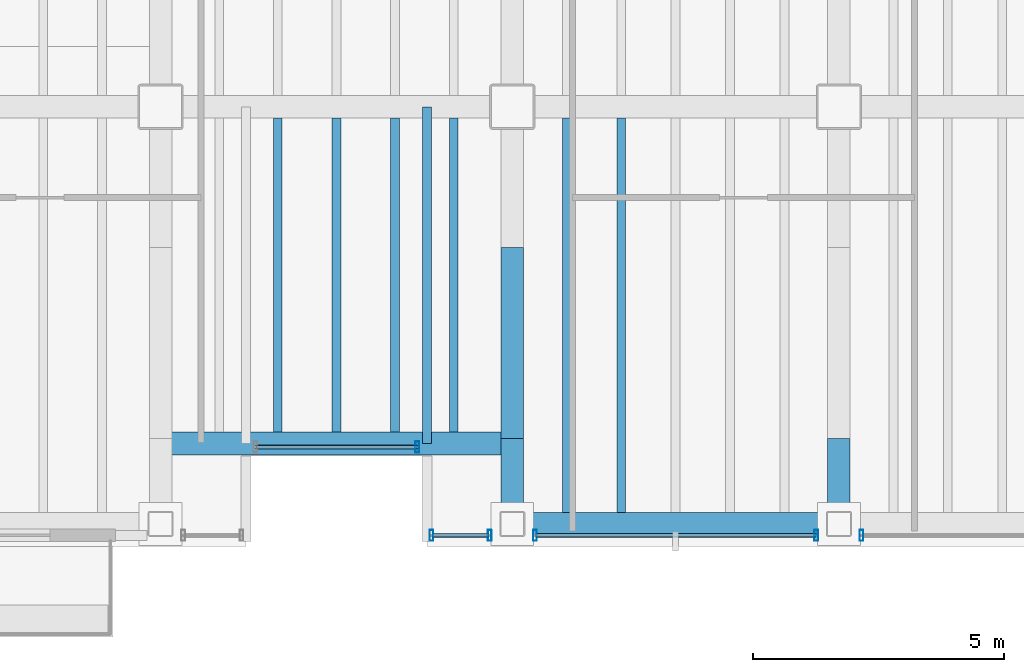
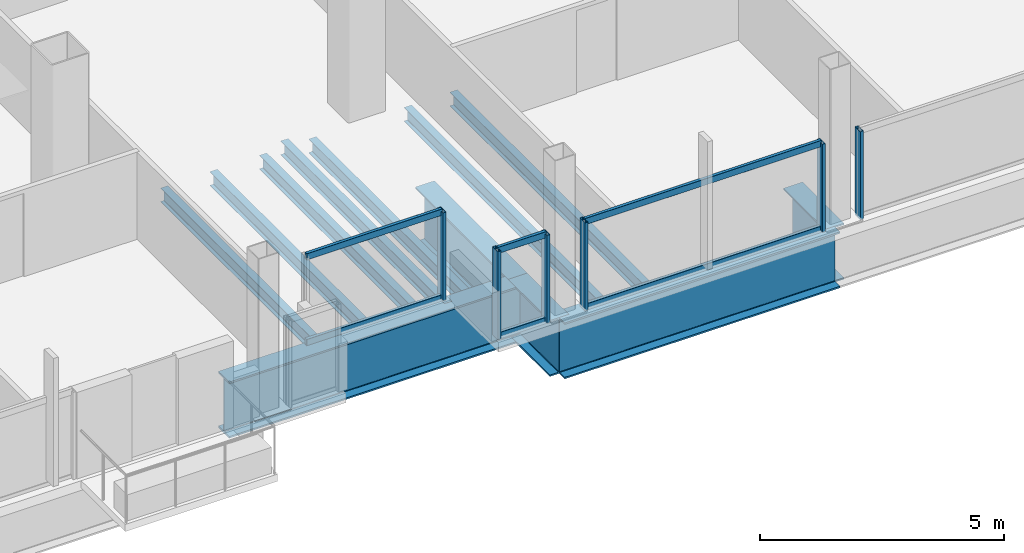
# One storey, part 4 of 17: 12 beams, 12 members, 4 elements without a shape of their own.
"""IFC4 building model written with IfcOpenShell, lengths in metres."""

import ifcopenshell
import ifcopenshell.guid

model = None  # the IFC model being written
_history = None  # IfcOwnerHistory: only IFC2X3 demands one
_inside = {}  # id of a spatial element -> (the spatial element, [elements in it])
_under = {}  # id of a project, library or spatial element -> (it, [spatial elements below it])
_declared = {}  # id of a project -> (the project, [libraries it declares])
_typed = {}  # id of a type object -> (the type object, [elements of that type])
_made_of = {}  # id of a material, layer set ... -> (it, [elements and type objects made of it])


def new_model(schema):
    """Start an empty IFC model of exactly this schema.

    Asked for "IFC4X3", IfcOpenShell would pick the latest addendum, in which some entities
    have other attributes; the version numbers below select the first issue.
    IFC2X3 requires an IfcOwnerHistory on every rooted entity: one is made here for all.
    """
    global model, _history
    if schema == "IFC4X3":
        model = ifcopenshell.file(schema_version=(4, 3, 0, 0))
    else:
        model = ifcopenshell.file(schema=schema)
    _inside.clear()
    _under.clear()
    _declared.clear()
    _typed.clear()
    _made_of.clear()
    _history = None
    if model.schema == "IFC2X3":
        org = make("IfcOrganization", Name="unknown")
        user = make(
            "IfcPersonAndOrganization",
            ThePerson=make("IfcPerson", FamilyName="unknown"),
            TheOrganization=org,
        )
        app = make(
            "IfcApplication",
            ApplicationDeveloper=org,
            Version="unknown",
            ApplicationFullName="unknown",
            ApplicationIdentifier="unknown",
        )
        _history = make(
            "IfcOwnerHistory",
            OwningUser=user,
            OwningApplication=app,
            ChangeAction="ADDED",
            CreationDate=0,
        )
    return model


def make(cls, **values):
    """One entity of the class cls with the attributes given. An attribute that is None is left unset."""
    return model.create_entity(
        cls, **{name: value for name, value in values.items() if value is not None}
    )


def rooted(cls, **values):
    """An entity with a GlobalId (a new one), such as an element, a storey or a relation."""
    return make(cls, GlobalId=ifcopenshell.guid.new(), OwnerHistory=_history, **values)


def si_unit(unit_type, name, prefix=None):
    """IfcSIUnit, for example si_unit("LENGTHUNIT", "METRE", prefix="MILLI")."""
    return make("IfcSIUnit", UnitType=unit_type, Prefix=prefix, Name=name)


def assignment(units):
    """IfcUnitAssignment: the units of a project."""
    return None if units is None else make("IfcUnitAssignment", Units=units)


def point(xyz):
    """IfcCartesianPoint."""
    return None if xyz is None else make("IfcCartesianPoint", Coordinates=xyz)


def direction(xyz):
    """IfcDirection."""
    return None if xyz is None else make("IfcDirection", DirectionRatios=xyz)


def frame(location, z_axis=None, x_axis=None):
    """IfcAxis2Placement3D, a coordinate frame: its origin and axes. An axis left out is left unset."""
    return make(
        "IfcAxis2Placement3D",
        Location=point(location),
        Axis=direction(z_axis),
        RefDirection=direction(x_axis),
    )


def frame_2d(location, x_axis=None):
    """IfcAxis2Placement2D, a coordinate frame in the plane: its origin and x axis."""
    return make(
        "IfcAxis2Placement2D", Location=point(location), RefDirection=direction(x_axis)
    )


def origin():
    """The frame at (0, 0, 0) with its axes left unset."""
    return frame((0.0, 0.0, 0.0))


def origin_2d():
    """The frame at (0, 0) in the plane with its x axis left unset."""
    return frame_2d((0.0, 0.0))


def place(relative_to, where):
    """IfcLocalPlacement: puts the frame where relative to a parent placement (None: the world)."""
    return make(
        "IfcLocalPlacement", PlacementRelTo=relative_to, RelativePlacement=where
    )


def context(
    kind, dimensions, precision=None, world=None, true_north=None, identifier=None
):
    """IfcGeometricRepresentationContext, for example the 3D "Model" context."""
    return make(
        "IfcGeometricRepresentationContext",
        ContextIdentifier=identifier,
        ContextType=kind,
        CoordinateSpaceDimension=dimensions,
        Precision=precision,
        WorldCoordinateSystem=world,
        TrueNorth=true_north,
    )


def subcontext(parent, identifier, kind, view, scale=None):
    """IfcGeometricRepresentationSubContext, for example "Body" below "Model"."""
    return make(
        "IfcGeometricRepresentationSubContext",
        ContextIdentifier=identifier,
        ContextType=kind,
        ParentContext=parent,
        TargetScale=scale,
        TargetView=view,
    )


def project(units=None, contexts=None):
    """IfcProject with its units and contexts."""
    return rooted(
        "IfcProject",
        Name="project",
        RepresentationContexts=contexts,
        UnitsInContext=assignment(units),
    )


def spatial(cls, under=None, at=None, **own):
    """A site, building, storey or space (cls), placed at a placement, below another one or the project."""
    s = rooted(cls, ObjectPlacement=at, **own)
    if under is not None:
        _under.setdefault(under.id(), (under, []))[1].append(s)
    return s


def profile(cls, at=None, kind="AREA", **sizes):
    """A parametric profile (cls). Its sizes go by their IFC names, for example OverallWidth=200.0."""
    return make(cls, ProfileType=kind, Position=at, **sizes)


def hollow_rectangle(**sizes):
    """IfcRectangleHollowProfileDef."""
    return profile("IfcRectangleHollowProfileDef", **sizes)


def i_section(**sizes):
    """IfcIShapeProfileDef."""
    return profile("IfcIShapeProfileDef", **sizes)


def extrude(swept, where, along, depth):
    """IfcExtrudedAreaSolid: the profile swept, set in the frame where, extruded along a direction by depth."""
    return make(
        "IfcExtrudedAreaSolid",
        SweptArea=swept,
        Position=where,
        ExtrudedDirection=direction(along),
        Depth=depth,
    )


def shape(context_of_items, identifier, shape_type, items):
    """IfcShapeRepresentation: the items that make up one representation, for example the "Body"."""
    return make(
        "IfcShapeRepresentation",
        ContextOfItems=context_of_items,
        RepresentationIdentifier=identifier,
        RepresentationType=shape_type,
        Items=items,
    )


def material(Name=None, Category=None):
    """IfcMaterial."""
    return make("IfcMaterial", Name=Name, Category=Category)


def material_profile(
    of_material, cross_section, Name=None, Category=None, Priority=None
):
    """IfcMaterialProfile: a cross section and its material."""
    return make(
        "IfcMaterialProfile",
        Name=Name,
        Material=of_material,
        Profile=cross_section,
        Priority=Priority,
        Category=Category,
    )


def profile_set(profiles, Name=None, composite=None):
    """IfcMaterialProfileSet."""
    return make(
        "IfcMaterialProfileSet",
        Name=Name,
        MaterialProfiles=profiles,
        CompositeProfile=composite,
    )


def made_of(thing, what):
    """Note that an element or type object is made of a material, layer set ...; save() writes the relation."""
    if what is not None:
        _made_of.setdefault(what.id(), (what, []))[1].append(thing)
    return thing


def type_object(cls, material=None, **own):
    """A type object (cls), such as IfcWallType, which elements share."""
    return made_of(rooted(cls, **own), material)


def element(
    cls,
    number,
    at=None,
    inside=None,
    cuts=None,
    type_object=None,
    material=None,
    context=None,
    identifier="Body",
    shape_type=None,
    held_by="IfcProductDefinitionShape",
    body=None,
    shapes=None,
    **own,
):
    """One element of the class cls, such as IfcWall. Its Tag is "e" and its number.

    at: its placement. inside: the storey or other place that contains it. cuts: it is an
    opening in that element (IfcRelVoidsElement). A single representation is given by context,
    identifier, shape_type and body (its items); several are given by shapes. held_by: the class
    of the entity that holds the representations. save() writes the other relations.
    """
    e = rooted(cls, Tag="e%d" % number, ObjectPlacement=at, **own)
    if body is not None:
        shapes = [shape(context, identifier, shape_type, body)]
    if shapes is not None:
        e.Representation = make(held_by, Representations=shapes)
    if inside is not None:
        _inside.setdefault(inside.id(), (inside, []))[1].append(e)
    if cuts is not None:
        rooted(
            "IfcRelVoidsElement", RelatingBuildingElement=cuts, RelatedOpeningElement=e
        )
    if type_object is not None:
        _typed.setdefault(type_object.id(), (type_object, []))[1].append(e)
    return made_of(e, material)


def aggregate(whole, parts):
    """IfcRelAggregates: a whole, such as a stair, and the parts it consists of."""
    return rooted("IfcRelAggregates", RelatingObject=whole, RelatedObjects=parts)


def save(model, path):
    """Write the relations noted so far, then the file.

    IfcRelAggregates (storeys below a building ...), IfcRelContainedInSpatialStructure (elements
    in a storey), IfcRelDefinesByType, IfcRelAssociatesMaterial and IfcRelDeclares: one each for
    every whole, place, type object, material and project.
    """
    for whole, parts in _under.values():
        aggregate(whole, parts)
    for where, things in _inside.values():
        rooted(
            "IfcRelContainedInSpatialStructure",
            RelatedElements=things,
            RelatingStructure=where,
        )
    for kind, things in _typed.values():
        rooted("IfcRelDefinesByType", RelatedObjects=things, RelatingType=kind)
    for what, things in _made_of.values():
        rooted("IfcRelAssociatesMaterial", RelatedObjects=things, RelatingMaterial=what)
    for by, libraries in _declared.values():
        rooted("IfcRelDeclares", RelatingContext=by, RelatedDefinitions=libraries)
    model.write(path)


model = new_model("IFC4")

# Units and contexts
model_context = context("Model", 3, precision=1e-05, world=origin(), true_north=direction((0.0, 1.0)))
body_context = subcontext(model_context, "Body", "Model", "MODEL_VIEW")
ifc_project = project(units=[si_unit("LENGTHUNIT", "METRE"), si_unit("AREAUNIT", "SQUARE_METRE"), si_unit("VOLUMEUNIT", "CUBIC_METRE"), si_unit("PLANEANGLEUNIT", "RADIAN"), si_unit("MASSUNIT", "GRAM", prefix="KILO")], contexts=[model_context])

# Site, building, storey
site_placement = place(None, origin())
site = spatial("IfcSite", under=ifc_project, at=site_placement, CompositionType="ELEMENT")
building_placement = place(site_placement, origin())
building = spatial("IfcBuilding", under=site, at=building_placement, Name="Noeulbin Bourse Tower", CompositionType="ELEMENT")
storey_placement = place(building_placement, frame((0.0, 0.0, 196.800048828125)))
storey = spatial("IfcBuildingStorey", under=building, at=storey_placement, Name="L49", CompositionType="ELEMENT", Elevation=196.800048828125)

# Beams
ifc_material_1 = material(Name="Steel S355", Category="steel")
ifc_material_profile_1 = material_profile(ifc_material_1, i_section(OverallWidth=0.175048828125, OverallDepth=0.35009765625, WebThickness=0.007080078125, FlangeThickness=0.010986328125, FilletRadius=0.013916015625, at=origin_2d()), Name="H-350x175x7x11", Category="LoadBearing")
ifc_profile_set_1 = profile_set([ifc_material_profile_1], Name="Steel S355")
beam_type_1 = type_object("IfcBeamType", Name="BM-JST-350", PredefinedType="JOIST", material=ifc_profile_set_1)
beam_1_placement = place(storey_placement, frame((29.300048828125, 13.300048828125, -0.4150390625), z_axis=(0.0, 1.0, 0.0), x_axis=(-1.0, 0.0, 0.0)))
element("IfcBeam", 1, at=beam_1_placement, inside=storey, type_object=beam_type_1, Name="BM-L49-SRT-E", PredefinedType="JOIST", context=body_context, shape_type="SweptSolid", body=[
    extrude(i_section(OverallWidth=0.175048828125, OverallDepth=0.35009765625, WebThickness=0.007080078125, FlangeThickness=0.010986328125, FilletRadius=0.013916015625, at=origin_2d()), origin(), (0.0, 0.0, 1.0), 6.699951171875),
])
for number, where, z_axis, x_axis, name in (
    (2, (26.333251953125, 13.52490234375, -0.4150390625), (0.0, 1.0, 0.0), (-1.0, 0.0, 0.0), "Tower Composite Joist L49-19"),
    (3, (27.5, 13.52490234375, -0.4150390625), (0.0, 1.0, 0.0), (-1.0, 0.0, 0.0), "Tower Composite Joist L49-21"),
    (4, (28.666748046875, 13.52490234375, -0.4150390625), (0.0, 1.0, 0.0), (-1.0, 0.0, 0.0), "Tower Composite Joist L49-23"),
    (5, (29.833251953125, 13.52490234375, -0.4150390625), (0.0, 1.0, 0.0), (-1.0, 0.0, 0.0), "Tower Composite Joist L49-25"),
):
    element("IfcBeam", number, at=place(storey_placement, frame(where, z_axis=z_axis, x_axis=x_axis)), inside=storey, type_object=beam_type_1, Name=name, PredefinedType="JOIST", context=body_context, shape_type="SweptSolid", body=[
        extrude(i_section(OverallWidth=0.175048828125, OverallDepth=0.35009765625, WebThickness=0.007080078125, FlangeThickness=0.010986328125, FilletRadius=0.013916015625, at=origin_2d()), origin(), (0.0, 0.0, 1.0), 6.25),
    ])
for number, where, z_axis, x_axis, name in (
    (6, (32.083251953125, 11.925048828125, -0.4150390625), (0.0, 1.0, 0.0), (-1.0, 0.0, 0.0), "Tower Composite Joist L49-27"),
    (7, (33.166748046875, 11.925048828125, -0.4150390625), (0.0, 1.0, 0.0), (-1.0, 0.0, 0.0), "Tower Composite Joist L49-29"),
):
    element("IfcBeam", number, at=place(storey_placement, frame(where, z_axis=z_axis, x_axis=x_axis)), inside=storey, type_object=beam_type_1, Name=name, PredefinedType="JOIST", context=body_context, shape_type="SweptSolid", body=[
        extrude(i_section(OverallWidth=0.175048828125, OverallDepth=0.35009765625, WebThickness=0.007080078125, FlangeThickness=0.010986328125, FilletRadius=0.013916015625, at=origin_2d()), origin(), (0.0, 0.0, 1.0), 7.849853515625),
    ])
ifc_material_2 = material(Name="Steel S460", Category="steel")
ifc_material_profile_2 = material_profile(ifc_material_2, i_section(OverallWidth=0.449951171875, OverallDepth=1.39990234375, WebThickness=0.02392578125, FlangeThickness=0.0400390625, FilletRadius=0.02392578125, at=origin_2d()), Name="PG-1400x450x24x40", Category="LoadBearing")
ifc_profile_set_2 = profile_set([ifc_material_profile_2], Name="Steel S460")
beam_type_2 = type_object("IfcBeamType", Name="BM-TRF-1400", PredefinedType="USERDEFINED", material=ifc_profile_set_2)
beam_2_placement = place(storey_placement, frame((31.0, 11.699951171875, -0.93994140625), z_axis=(0.0, 1.0, 0.0), x_axis=(-1.0, 0.0, 0.0)))
element("IfcBeam", 8, at=beam_2_placement, inside=storey, type_object=beam_type_2, Name="Tower Primary Girder NS L49-3.1", ObjectType="GIRDER", PredefinedType="USERDEFINED", context=body_context, shape_type="SweptSolid", body=[
    extrude(i_section(OverallWidth=0.449951171875, OverallDepth=1.39990234375, WebThickness=0.02392578125, FlangeThickness=0.0400390625, FilletRadius=0.02392578125, at=origin_2d()), origin(), (0.0, 0.0, 1.0), 1.699951171875),
])
beam_3_placement = place(storey_placement, frame((31.0, 13.39990234375, -0.93994140625), z_axis=(0.0, 1.0, 0.0), x_axis=(-1.0, 0.0, 0.0)))
element("IfcBeam", 9, at=beam_3_placement, inside=storey, type_object=beam_type_2, Name="Tower Primary Girder NS L49-3.2", ObjectType="GIRDER", PredefinedType="USERDEFINED", context=body_context, shape_type="SweptSolid", body=[
    extrude(i_section(OverallWidth=0.449951171875, OverallDepth=1.39990234375, WebThickness=0.02392578125, FlangeThickness=0.0400390625, FilletRadius=0.02392578125, at=origin_2d()), origin(), (0.0, 0.0, 1.0), 3.800048828125),
])
beam_4_placement = place(storey_placement, frame((37.5, 11.699951171875, -0.93994140625), z_axis=(0.0, 1.0, 0.0), x_axis=(-1.0, 0.0, 0.0)))
element("IfcBeam", 10, at=beam_4_placement, inside=storey, type_object=beam_type_2, Name="Tower Primary Girder NS L49-4.1", ObjectType="GIRDER", PredefinedType="USERDEFINED", context=body_context, shape_type="SweptSolid", body=[
    extrude(i_section(OverallWidth=0.449951171875, OverallDepth=1.39990234375, WebThickness=0.02392578125, FlangeThickness=0.0400390625, FilletRadius=0.02392578125, at=origin_2d()), origin(), (0.0, 0.0, 1.0), 1.699951171875),
])
beam_5_placement = place(storey_placement, frame((24.0, 13.300048828125, -0.93994140625), z_axis=(1.0, 0.0, 0.0), x_axis=(0.0, 1.0, 0.0)))
element("IfcBeam", 11, at=beam_5_placement, inside=storey, type_object=beam_type_2, Name="South Recess Spandrel L49-2B", ObjectType="GIRDER", PredefinedType="USERDEFINED", context=body_context, shape_type="SweptSolid", body=[
    extrude(i_section(OverallWidth=0.449951171875, OverallDepth=1.39990234375, WebThickness=0.02392578125, FlangeThickness=0.0400390625, FilletRadius=0.02392578125, at=origin_2d()), origin(), (0.0, 0.0, 1.0), 7.0),
])
beam_6_placement = place(storey_placement, frame((31.0, 11.699951171875, -0.93994140625), z_axis=(1.0, 0.0, 0.0), x_axis=(0.0, 1.0, 0.0)))
element("IfcBeam", 12, at=beam_6_placement, inside=storey, type_object=beam_type_2, Name="South Spandrel L49-3", ObjectType="GIRDER", PredefinedType="USERDEFINED", context=body_context, shape_type="SweptSolid", body=[
    extrude(i_section(OverallWidth=0.449951171875, OverallDepth=1.39990234375, WebThickness=0.02392578125, FlangeThickness=0.0400390625, FilletRadius=0.02392578125, at=origin_2d()), origin(), (0.0, 0.0, 1.0), 6.5),
])

# Curtain wall, member
ifc_material_3 = material(Name="Dark Tinted Triple Glazing", Category="glass")
curtain_wall_type = type_object("IfcCurtainWallType", Name="CW-SYS-3", PredefinedType="NOTDEFINED", material=ifc_material_3)
curtain_wall_1_placement = place(storey_placement, origin())
curtain_wall_1 = element("IfcCurtainWall", 13, at=curtain_wall_1_placement, inside=storey, type_object=curtain_wall_type, Name="Unitised Curtain Wall CW-L49-SREC", PredefinedType="NOTDEFINED")
ifc_material_4 = material(Name="Anodised Aluminium 6063-T6", Category="aluminium")
ifc_material_profile_3 = material_profile(ifc_material_4, hollow_rectangle(XDim=0.074951171875, YDim=0.219970703125, WallThickness=0.0048828125, InnerFilletRadius=0.00244140625, OuterFilletRadius=0.0048828125, at=origin_2d()), Name="ALU-MULL-75x220x5", Category="LoadBearing")
ifc_profile_set_3 = profile_set([ifc_material_profile_3], Name="Anodised Aluminium 6063-T6")
member_type_1 = type_object("IfcMemberType", Name="CW-SYS-3-MUL", PredefinedType="MULLION", material=ifc_profile_set_3)
member_1_placement = place(storey_placement, frame((29.110107421875, 13.22998046875, -0.02001953125), z_axis=(0.0, 0.0, 1.0), x_axis=(1.0, 0.0, 0.0)))
member_1 = element("IfcMember", 14, at=member_1_placement, type_object=member_type_1, Name="Curtain Wall Mullion CW-L49-SREC-M01", PredefinedType="MULLION", context=body_context, shape_type="SweptSolid", body=[
    extrude(hollow_rectangle(XDim=0.074951171875, YDim=0.219970703125, WallThickness=0.0048828125, InnerFilletRadius=0.00244140625, OuterFilletRadius=0.0048828125, at=origin_2d()), origin(), (0.0, 0.0, 1.0), 2.199951171875),
])

# Curtain wall, members
curtain_wall_2_placement = place(storey_placement, origin())
curtain_wall_2 = element("IfcCurtainWall", 15, at=curtain_wall_2_placement, inside=storey, type_object=curtain_wall_type, Name="Unitised Curtain Wall CW-L49-S3-S1", PredefinedType="NOTDEFINED")
member_2_placement = place(storey_placement, frame((29.389892578125, 11.469970703125, -0.02001953125), z_axis=(0.0, 0.0, 1.0), x_axis=(1.0, 0.0, 0.0)))
member_2 = element("IfcMember", 16, at=member_2_placement, type_object=member_type_1, Name="Curtain Wall Mullion CW-L49-S3-S1-M00", PredefinedType="MULLION", context=body_context, shape_type="SweptSolid", body=[
    extrude(hollow_rectangle(XDim=0.074951171875, YDim=0.219970703125, WallThickness=0.0048828125, InnerFilletRadius=0.00244140625, OuterFilletRadius=0.0048828125, at=origin_2d()), origin(), (0.0, 0.0, 1.0), 2.199951171875),
])
member_3_placement = place(storey_placement, frame((30.550048828125, 11.469970703125, -0.02001953125), z_axis=(0.0, 0.0, 1.0), x_axis=(1.0, 0.0, 0.0)))
member_3 = element("IfcMember", 17, at=member_3_placement, type_object=member_type_1, Name="Curtain Wall Mullion CW-L49-S3-S1-M01", PredefinedType="MULLION", context=body_context, shape_type="SweptSolid", body=[
    extrude(hollow_rectangle(XDim=0.074951171875, YDim=0.219970703125, WallThickness=0.0048828125, InnerFilletRadius=0.00244140625, OuterFilletRadius=0.0048828125, at=origin_2d()), origin(), (0.0, 0.0, 1.0), 2.199951171875),
])

curtain_wall_3_placement = place(storey_placement, origin())
curtain_wall_3 = element("IfcCurtainWall", 18, at=curtain_wall_3_placement, inside=storey, type_object=curtain_wall_type, Name="Unitised Curtain Wall CW-L49-S3-S2", PredefinedType="NOTDEFINED")
member_4_placement = place(storey_placement, frame((31.449951171875, 11.469970703125, -0.02001953125), z_axis=(0.0, 0.0, 1.0), x_axis=(1.0, 0.0, 0.0)))
member_4 = element("IfcMember", 19, at=member_4_placement, type_object=member_type_1, Name="Curtain Wall Mullion CW-L49-S3-S2-M00", PredefinedType="MULLION", context=body_context, shape_type="SweptSolid", body=[
    extrude(hollow_rectangle(XDim=0.074951171875, YDim=0.219970703125, WallThickness=0.0048828125, InnerFilletRadius=0.00244140625, OuterFilletRadius=0.0048828125, at=origin_2d()), origin(), (0.0, 0.0, 1.0), 2.199951171875),
])
member_5_placement = place(storey_placement, frame((37.050048828125, 11.469970703125, -0.02001953125), z_axis=(0.0, 0.0, 1.0), x_axis=(1.0, 0.0, 0.0)))
member_5 = element("IfcMember", 20, at=member_5_placement, type_object=member_type_1, Name="Curtain Wall Mullion CW-L49-S3-S2-M01", PredefinedType="MULLION", context=body_context, shape_type="SweptSolid", body=[
    extrude(hollow_rectangle(XDim=0.074951171875, YDim=0.219970703125, WallThickness=0.0048828125, InnerFilletRadius=0.00244140625, OuterFilletRadius=0.0048828125, at=origin_2d()), origin(), (0.0, 0.0, 1.0), 2.199951171875),
])

# Curtain wall, member
curtain_wall_4_placement = place(storey_placement, origin())
curtain_wall_4 = element("IfcCurtainWall", 21, at=curtain_wall_4_placement, inside=storey, type_object=curtain_wall_type, Name="Unitised Curtain Wall CW-L49-S3-S3", PredefinedType="NOTDEFINED")
member_6_placement = place(storey_placement, frame((37.949951171875, 11.469970703125, -0.02001953125), z_axis=(0.0, 0.0, 1.0), x_axis=(1.0, 0.0, 0.0)))
member_6 = element("IfcMember", 22, at=member_6_placement, type_object=member_type_1, Name="Curtain Wall Mullion CW-L49-S3-S3-M00", PredefinedType="MULLION", context=body_context, shape_type="SweptSolid", body=[
    extrude(hollow_rectangle(XDim=0.074951171875, YDim=0.219970703125, WallThickness=0.0048828125, InnerFilletRadius=0.00244140625, OuterFilletRadius=0.0048828125, at=origin_2d()), origin(), (0.0, 0.0, 1.0), 2.199951171875),
])
aggregate(curtain_wall_4, [member_6])

# Member
ifc_material_profile_4 = material_profile(ifc_material_4, hollow_rectangle(XDim=0.074951171875, YDim=0.159912109375, WallThickness=0.0048828125, InnerFilletRadius=0.00244140625, OuterFilletRadius=0.0048828125, at=origin_2d()), Name="ALU-TRAN-75x160x5", Category="LoadBearing")
ifc_profile_set_4 = profile_set([ifc_material_profile_4], Name="Anodised Aluminium 6063-T6")
member_type_2 = type_object("IfcMemberType", Name="CW-SYS-3-TRN", PredefinedType="USERDEFINED", material=ifc_profile_set_4)
member_7_placement = place(storey_placement, frame((25.89990234375, 13.22998046875, 0.010009765625), z_axis=(1.0, 0.0, 0.0), x_axis=(0.0, 1.0, 0.0)))
member_7 = element("IfcMember", 23, at=member_7_placement, type_object=member_type_2, Name="Curtain Wall Transom CW-L49-SREC-T00", ObjectType="TRANSOM", PredefinedType="USERDEFINED", context=body_context, shape_type="SweptSolid", body=[
    extrude(hollow_rectangle(XDim=0.074951171875, YDim=0.159912109375, WallThickness=0.0048828125, InnerFilletRadius=0.00244140625, OuterFilletRadius=0.0048828125, at=origin_2d()), origin(), (0.0, 0.0, 1.0), 3.2001953125),
])

member_8_placement = place(storey_placement, frame((25.89990234375, 13.22998046875, 2.14990234375), z_axis=(1.0, 0.0, 0.0), x_axis=(0.0, 1.0, 0.0)))
member_8 = element("IfcMember", 24, at=member_8_placement, type_object=member_type_2, Name="Curtain Wall Transom CW-L49-SREC-T01", ObjectType="TRANSOM", PredefinedType="USERDEFINED", context=body_context, shape_type="SweptSolid", body=[
    extrude(hollow_rectangle(XDim=0.074951171875, YDim=0.159912109375, WallThickness=0.0048828125, InnerFilletRadius=0.00244140625, OuterFilletRadius=0.0048828125, at=origin_2d()), origin(), (0.0, 0.0, 1.0), 3.2001953125),
])

aggregate(curtain_wall_1, [member_1, member_7, member_8])

member_9_placement = place(storey_placement, frame((29.39990234375, 11.469970703125, 0.010009765625), z_axis=(1.0, 0.0, 0.0), x_axis=(0.0, 1.0, 0.0)))
member_9 = element("IfcMember", 25, at=member_9_placement, type_object=member_type_2, Name="Curtain Wall Transom CW-L49-S3-S1-T00", ObjectType="TRANSOM", PredefinedType="USERDEFINED", context=body_context, shape_type="SweptSolid", body=[
    extrude(hollow_rectangle(XDim=0.074951171875, YDim=0.159912109375, WallThickness=0.0048828125, InnerFilletRadius=0.00244140625, OuterFilletRadius=0.0048828125, at=origin_2d()), origin(), (0.0, 0.0, 1.0), 1.14013671875),
])

member_10_placement = place(storey_placement, frame((29.39990234375, 11.469970703125, 2.14990234375), z_axis=(1.0, 0.0, 0.0), x_axis=(0.0, 1.0, 0.0)))
member_10 = element("IfcMember", 26, at=member_10_placement, type_object=member_type_2, Name="Curtain Wall Transom CW-L49-S3-S1-T01", ObjectType="TRANSOM", PredefinedType="USERDEFINED", context=body_context, shape_type="SweptSolid", body=[
    extrude(hollow_rectangle(XDim=0.074951171875, YDim=0.159912109375, WallThickness=0.0048828125, InnerFilletRadius=0.00244140625, OuterFilletRadius=0.0048828125, at=origin_2d()), origin(), (0.0, 0.0, 1.0), 1.14013671875),
])

aggregate(curtain_wall_2, [member_2, member_3, member_9, member_10])

member_11_placement = place(storey_placement, frame((31.4599609375, 11.469970703125, 0.010009765625), z_axis=(1.0, 0.0, 0.0), x_axis=(0.0, 1.0, 0.0)))
member_11 = element("IfcMember", 27, at=member_11_placement, type_object=member_type_2, Name="Curtain Wall Transom CW-L49-S3-S2-T00", ObjectType="TRANSOM", PredefinedType="USERDEFINED", context=body_context, shape_type="SweptSolid", body=[
    extrude(hollow_rectangle(XDim=0.074951171875, YDim=0.159912109375, WallThickness=0.0048828125, InnerFilletRadius=0.00244140625, OuterFilletRadius=0.0048828125, at=origin_2d()), origin(), (0.0, 0.0, 1.0), 5.580078125),
])

member_12_placement = place(storey_placement, frame((31.4599609375, 11.469970703125, 2.14990234375), z_axis=(1.0, 0.0, 0.0), x_axis=(0.0, 1.0, 0.0)))
member_12 = element("IfcMember", 28, at=member_12_placement, type_object=member_type_2, Name="Curtain Wall Transom CW-L49-S3-S2-T01", ObjectType="TRANSOM", PredefinedType="USERDEFINED", context=body_context, shape_type="SweptSolid", body=[
    extrude(hollow_rectangle(XDim=0.074951171875, YDim=0.159912109375, WallThickness=0.0048828125, InnerFilletRadius=0.00244140625, OuterFilletRadius=0.0048828125, at=origin_2d()), origin(), (0.0, 0.0, 1.0), 5.580078125),
])

aggregate(curtain_wall_3, [member_4, member_5, member_11, member_12])

save(model, "model.ifc")
